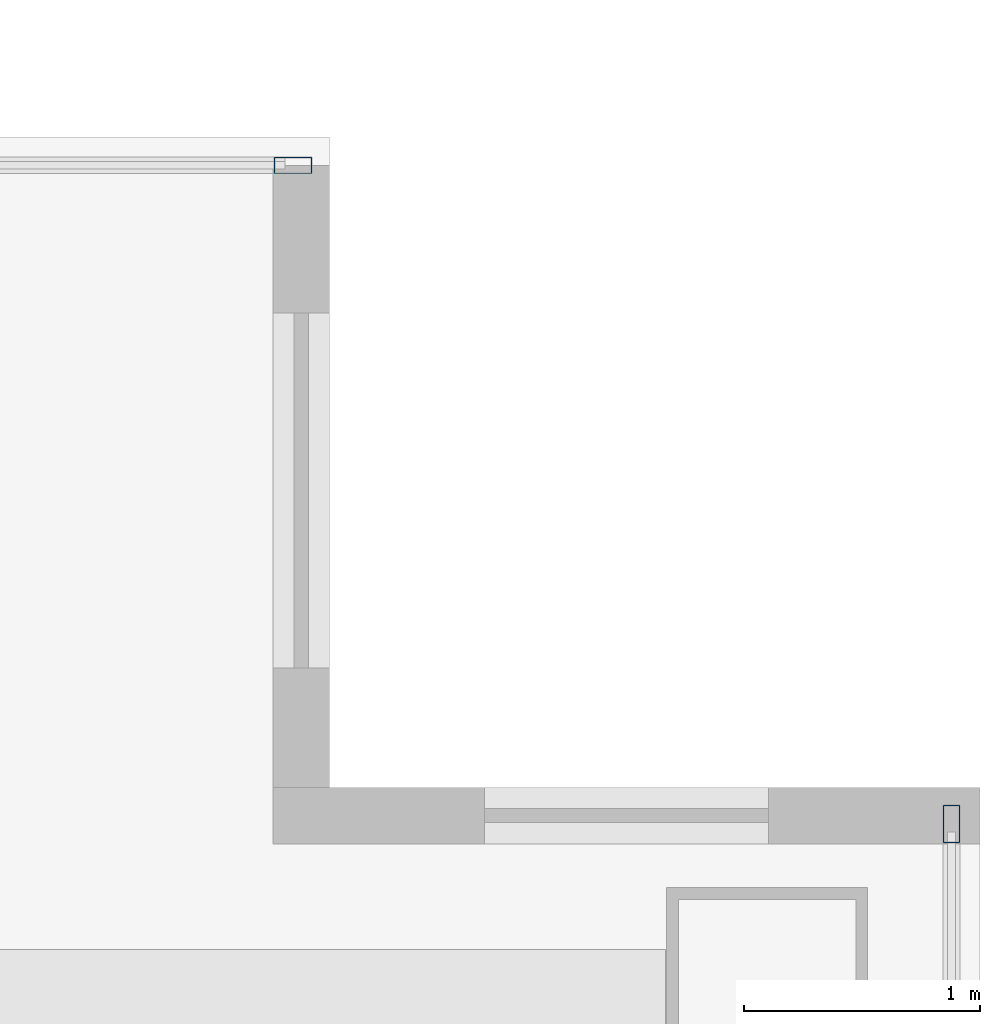
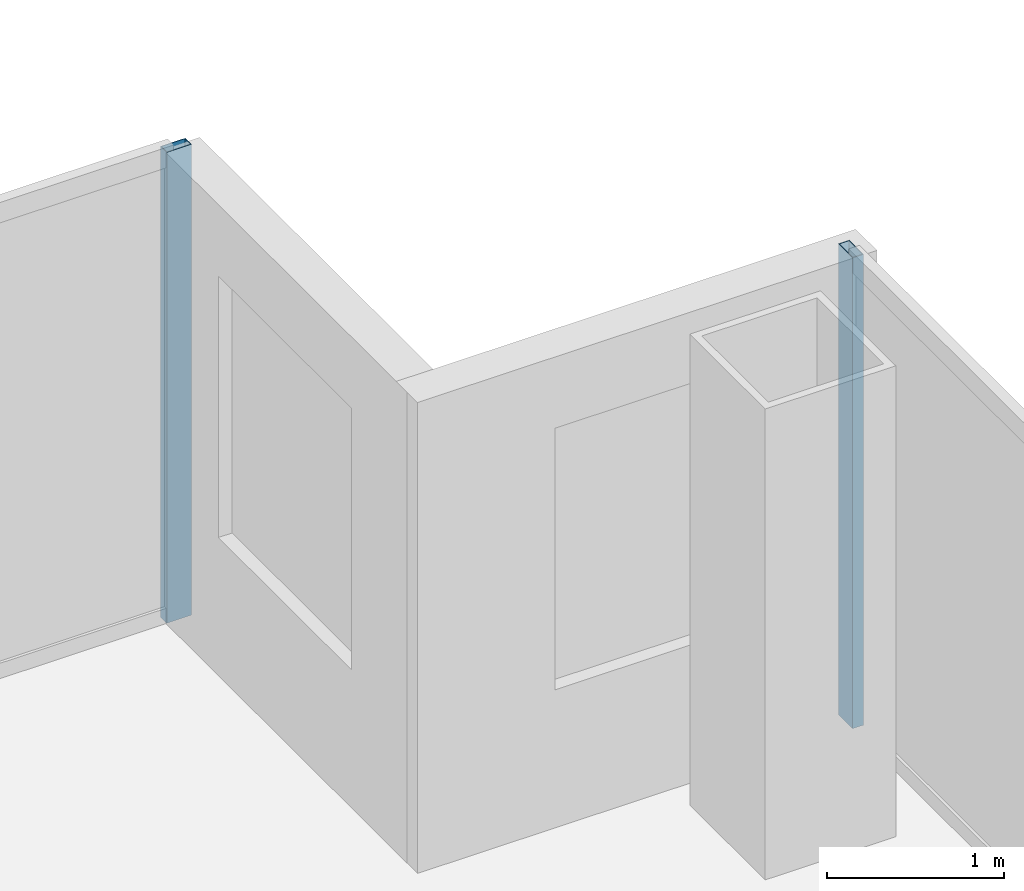
# One storey, part 16 of 23: 2 members, 2 elements without a shape of their own.
"""IFC4 building model written with IfcOpenShell, lengths in metres."""

from ifc_helpers import new_model, si_unit, direction, frame, origin, origin_2d, place, context, subcontext, project, spatial, hollow_rectangle, extrude, material, material_profile, profile_set, type_object, element, aggregate, save


model = new_model("IFC4")

# Units and contexts
model_context = context("Model", 3, precision=1e-05, world=origin(), true_north=direction((0.0, 1.0)))
body_context = subcontext(model_context, "Body", "Model", "MODEL_VIEW")
ifc_project = project(units=[si_unit("LENGTHUNIT", "METRE"), si_unit("AREAUNIT", "SQUARE_METRE"), si_unit("VOLUMEUNIT", "CUBIC_METRE"), si_unit("PLANEANGLEUNIT", "RADIAN"), si_unit("MASSUNIT", "GRAM", prefix="KILO")], contexts=[model_context])

# Site, building, storey
site_placement = place(None, origin())
site = spatial("IfcSite", under=ifc_project, at=site_placement, CompositionType="ELEMENT")
building_placement = place(site_placement, origin())
building = spatial("IfcBuilding", under=site, at=building_placement, Name="Cobrela Telecom Tower", CompositionType="ELEMENT")
storey_placement = place(building_placement, frame((0.0, 0.0, 183.75)))
storey = spatial("IfcBuildingStorey", under=building, at=storey_placement, Name="L46", CompositionType="ELEMENT", Elevation=183.75)

# Curtain wall, member
ifc_material = material(Name="Anodized Bronze Aluminium 6063-T6", Category="aluminium")
curtain_wall_type = type_object("IfcCurtainWallType", Name="CW-SYS-OFF-LO", PredefinedType="USERDEFINED", material=ifc_material)
curtain_wall_1_placement = place(storey_placement, origin())
curtain_wall_1 = element("IfcCurtainWall", 1, at=curtain_wall_1_placement, inside=storey, type_object=curtain_wall_type, Name="L46 Unitised Bronze Curtain Wall 11", ObjectType="UNITISED CURTAIN WALL", PredefinedType="USERDEFINED")
ifc_material_profile = material_profile(ifc_material, hollow_rectangle(XDim=0.070068359375, YDim=0.159912109375, WallThickness=0.00390625, at=origin_2d()), Name="ALU 70x160x4")
ifc_profile_set = profile_set([ifc_material_profile], Name="Anodized Bronze Aluminium 6063-T6")
member_type = type_object("IfcMemberType", Name="CW-SYS-OFF-LO-MUL", PredefinedType="MULLION", material=ifc_profile_set)
member_1_placement = place(storey_placement, frame((41.094970703125, 25.080078125, 0.0), z_axis=(0.0, 0.0, 1.0), x_axis=(0.0, 1.0, 0.0)))
member_1 = element("IfcMember", 2, at=member_1_placement, type_object=member_type, Name="CW-OFF-LO mullion 3", PredefinedType="MULLION", context=body_context, shape_type="SweptSolid", body=[
    extrude(hollow_rectangle(XDim=0.070068359375, YDim=0.159912109375, WallThickness=0.00390625, at=origin_2d()), origin(), (0.0, 0.0, 1.0), 3.239990234375),
])
aggregate(curtain_wall_1, [member_1])

curtain_wall_2_placement = place(storey_placement, origin())
curtain_wall_2 = element("IfcCurtainWall", 3, at=curtain_wall_2_placement, inside=storey, type_object=curtain_wall_type, Name="L46 Unitised Bronze Curtain Wall 14", ObjectType="UNITISED CURTAIN WALL", PredefinedType="USERDEFINED")
member_2_placement = place(storey_placement, frame((43.8798828125, 22.294921875, 0.0), z_axis=(0.0, 0.0, 1.0), x_axis=(1.0, 0.0, 0.0)))
member_2 = element("IfcMember", 4, at=member_2_placement, type_object=member_type, Name="CW-OFF-LO mullion 1", PredefinedType="MULLION", context=body_context, shape_type="SweptSolid", body=[
    extrude(hollow_rectangle(XDim=0.070068359375, YDim=0.159912109375, WallThickness=0.00390625, at=origin_2d()), origin(), (0.0, 0.0, 1.0), 3.239990234375),
])
aggregate(curtain_wall_2, [member_2])

save(model, "model.ifc")
